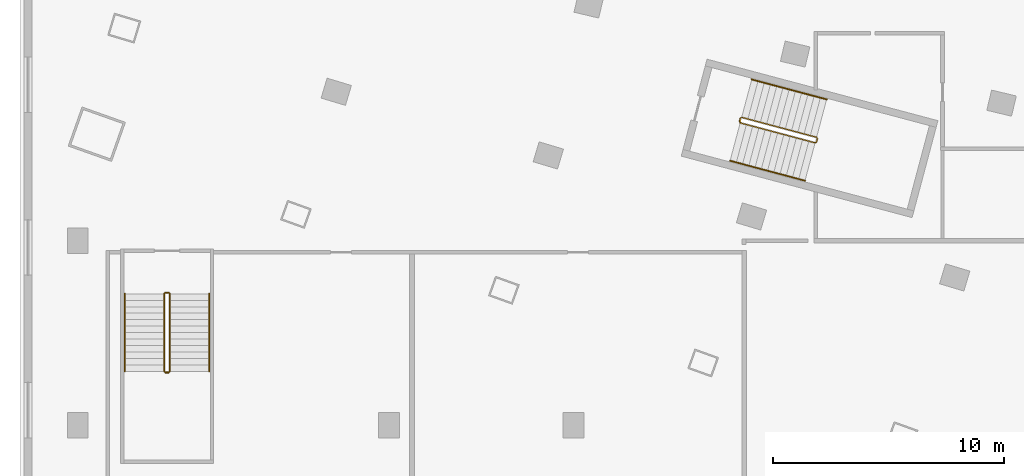
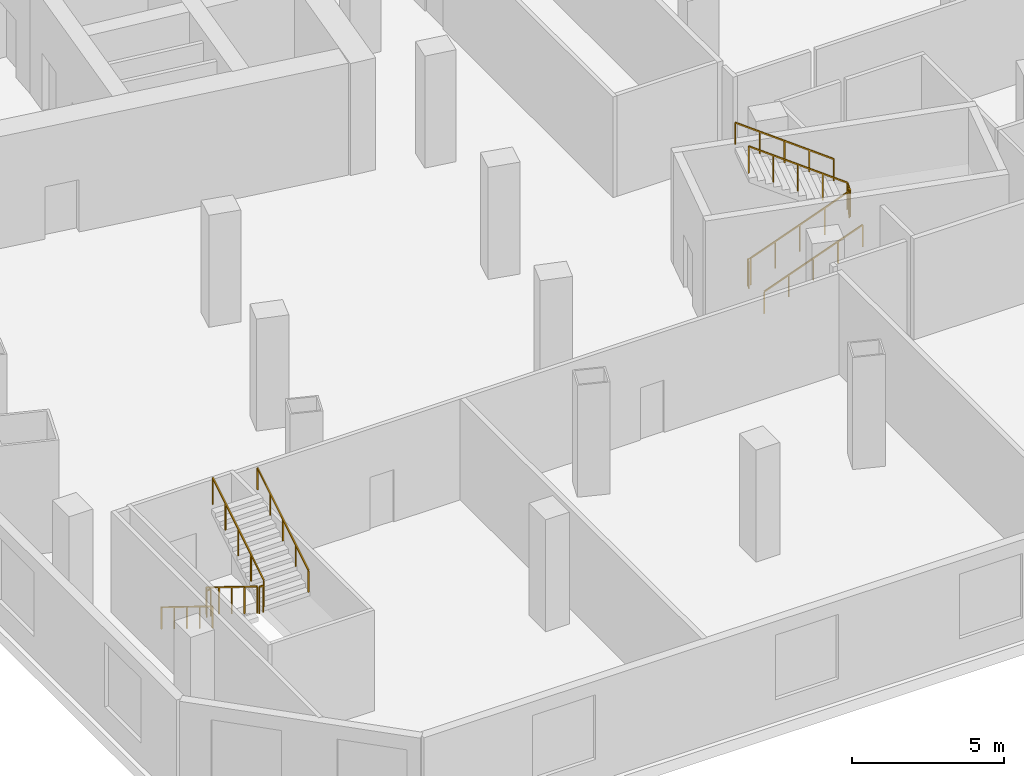
# One storey, part 10 of 14: 9 railings.
"""IFC4 building model written with IfcOpenShell, lengths in metres."""

from ifc_helpers import new_model, si_unit, direction, frame, origin, origin_with_axes, origin_2d, place, context, subcontext, project, spatial, rectangle, extrude, material, type_object, element, save


model = new_model("IFC4")

# Units and contexts
model_context = context("Model", 3, precision=1e-05, world=origin(), true_north=direction((0.0, 1.0)))
body_context = subcontext(model_context, "Body", "Model", "MODEL_VIEW")
ifc_project = project(units=[si_unit("LENGTHUNIT", "METRE"), si_unit("AREAUNIT", "SQUARE_METRE"), si_unit("VOLUMEUNIT", "CUBIC_METRE"), si_unit("PLANEANGLEUNIT", "RADIAN"), si_unit("MASSUNIT", "GRAM", prefix="KILO")], contexts=[model_context])

# Site, building, storey
site_placement = place(None, origin())
site = spatial("IfcSite", under=ifc_project, at=site_placement, CompositionType="ELEMENT")
building_placement = place(site_placement, origin())
building = spatial("IfcBuilding", under=site, at=building_placement, Name="Alderwake Tower", CompositionType="ELEMENT")
storey_placement = place(building_placement, frame((0.0, 0.0, 23.0)))
storey = spatial("IfcBuildingStorey", under=building, at=storey_placement, Name="L04", CompositionType="ELEMENT", Elevation=23.0)

# Railings
ifc_material_1 = material(Name="Stainless steel guard", Category="steel")
railing_type_1 = type_object("IfcRailingType", Name="Stair guard 1100", PredefinedType="GUARDRAIL", material=ifc_material_1)
railing_1_placement = place(storey_placement, frame((39.1943359375, 29.17431640625, 0.0)))
element("IfcRailing", 1, at=railing_1_placement, inside=storey, type_object=railing_type_1, Name="L04 ST-C stair guard 1", PredefinedType="GUARDRAIL", context=body_context, shape_type="SweptSolid", body=[
    extrude(rectangle(XDim=0.048095703125, YDim=0.048095703125, at=origin_2d()), frame((0.0, 0.0, 1.076171875), z_axis=(0.257459803502, 0.966289009345, 0.0), x_axis=(-0.966289009345, 0.257459803502, 0.0)), (0.0, 0.0, 1.0), 0.14990234375),
    extrude(rectangle(XDim=0.048095703125, YDim=0.048095703125, at=origin_2d()), frame((0.03857421875, 0.144775390625, 1.076171875), z_axis=(-0.011792936868, -0.765633747404, 0.643168633779), x_axis=(0.999881397308, -0.015401016783, 0.0)), (0.0, 0.0, 1.0), 0.26904296875),
    extrude(rectangle(XDim=0.048095703125, YDim=0.048095703125, at=origin_2d()), frame((0.035400390625, -0.061279296875, 1.2490234375), z_axis=(0.821962938046, -0.218918168777, 0.525786804569), x_axis=(0.257364156602, 0.966314488609, 0.0)), (0.0, 0.0, 1.0), 3.9501953125),
    extrude(rectangle(XDim=0.048095703125, YDim=0.048095703125, at=origin_2d()), frame((3.2822265625, -0.926025390625, 3.326171875), z_axis=(0.865898279276, 0.500220121494, 0.0), x_axis=(-0.500220121494, 0.865898279276, 0.0)), (0.0, 0.0, 1.0), 0.07080078125),
    extrude(rectangle(XDim=0.048095703125, YDim=0.048095703125, at=origin_2d()), frame((3.343505859375, -0.890625, 3.326171875), z_axis=(0.257055032184, 0.966396766566, 0.0), x_axis=(-0.966396766566, 0.257055032184, 0.0)), (0.0, 0.0, 1.0), 0.150146484375),
    extrude(rectangle(XDim=0.048095703125, YDim=0.048095703125, at=origin_2d()), frame((3.382080078125, -0.74560546875, 3.326171875), z_axis=(-0.189383820124, 0.3265238278, 0.926021575642), x_axis=(-0.865031189262, -0.501718089772, 0.0)), (0.0, 0.0, 1.0), 0.18701171875),
    extrude(rectangle(XDim=0.048095703125, YDim=0.048095703125, at=origin_2d()), frame((3.3466796875, -0.6845703125, 3.4990234375), z_axis=(-0.821951815101, 0.218977011873, 0.525779689531), x_axis=(-0.257432002611, -0.966296416237, 0.0)), (0.0, 0.0, 1.0), 3.9501953125),
    extrude(rectangle(XDim=0.0419921875, YDim=0.0419921875, at=origin_2d()), frame((0.0, 0.0, 0.0), z_axis=(0.0, 0.0, 1.0), x_axis=(0.257459803502, 0.966289009345, 0.0)), (0.0, 0.0, 1.0), 1.052001953125),
    extrude(rectangle(XDim=0.0419921875, YDim=0.0419921875, at=origin_2d()), frame((0.03857421875, 0.144775390625, 0.0), z_axis=(0.0, 0.0, 1.0), x_axis=(-0.015401016783, -0.999881397308, 0.0)), (0.0, 0.0, 1.0), 1.052001953125),
    extrude(rectangle(XDim=0.0419921875, YDim=0.0419921875, at=origin_2d()), frame((0.035400390625, -0.061279296875, 0.173095703125), z_axis=(0.0, 0.0, 1.0), x_axis=(0.966314488609, -0.257364156602, 0.0)), (0.0, 0.0, 1.0), 1.052001953125),
    extrude(rectangle(XDim=0.0419921875, YDim=0.0419921875, at=origin_2d()), frame((0.84716796875, -0.27734375, 0.6923828125), z_axis=(0.0, 0.0, 1.0), x_axis=(0.966314488609, -0.257364156602, 0.0)), (0.0, 0.0, 1.0), 1.052001953125),
    extrude(rectangle(XDim=0.0419921875, YDim=0.0419921875, at=origin_2d()), frame((1.65869140625, -0.49365234375, 1.21142578125), z_axis=(0.0, 0.0, 1.0), x_axis=(0.966314488609, -0.257364156602, 0.0)), (0.0, 0.0, 1.0), 1.052001953125),
    extrude(rectangle(XDim=0.0419921875, YDim=0.0419921875, at=origin_2d()), frame((2.470458984375, -0.7099609375, 1.730712890625), z_axis=(0.0, 0.0, 1.0), x_axis=(0.966314488609, -0.257364156602, 0.0)), (0.0, 0.0, 1.0), 1.052001953125),
    extrude(rectangle(XDim=0.0419921875, YDim=0.0419921875, at=origin_2d()), frame((3.2822265625, -0.926025390625, 2.25), z_axis=(0.0, 0.0, 1.0), x_axis=(0.865898279276, 0.500220121494, 0.0)), (0.0, 0.0, 1.0), 1.052001953125),
    extrude(rectangle(XDim=0.0419921875, YDim=0.0419921875, at=origin_2d()), frame((3.343505859375, -0.890625, 2.25), z_axis=(0.0, 0.0, 1.0), x_axis=(0.257055032184, 0.966396766566, 0.0)), (0.0, 0.0, 1.0), 1.052001953125),
    extrude(rectangle(XDim=0.0419921875, YDim=0.0419921875, at=origin_2d()), frame((3.382080078125, -0.74560546875, 2.25), z_axis=(0.0, 0.0, 1.0), x_axis=(-0.501718089772, 0.865031189262, 0.0)), (0.0, 0.0, 1.0), 1.052001953125),
    extrude(rectangle(XDim=0.0419921875, YDim=0.0419921875, at=origin_2d()), frame((3.3466796875, -0.6845703125, 2.423095703125), z_axis=(0.0, 0.0, 1.0), x_axis=(-0.966296416237, 0.257432002611, 0.0)), (0.0, 0.0, 1.0), 1.052001953125),
    extrude(rectangle(XDim=0.0419921875, YDim=0.0419921875, at=origin_2d()), frame((2.534912109375, -0.46826171875, 2.9423828125), z_axis=(0.0, 0.0, 1.0), x_axis=(-0.966296416237, 0.257432002611, 0.0)), (0.0, 0.0, 1.0), 1.052001953125),
    extrude(rectangle(XDim=0.0419921875, YDim=0.0419921875, at=origin_2d()), frame((1.72314453125, -0.251953125, 3.46142578125), z_axis=(0.0, 0.0, 1.0), x_axis=(-0.966296416237, 0.257432002611, 0.0)), (0.0, 0.0, 1.0), 1.052001953125),
    extrude(rectangle(XDim=0.0419921875, YDim=0.0419921875, at=origin_2d()), frame((0.91162109375, -0.035888671875, 3.980712890625), z_axis=(0.0, 0.0, 1.0), x_axis=(-0.966296416237, 0.257432002611, 0.0)), (0.0, 0.0, 1.0), 1.052001953125),
    extrude(rectangle(XDim=0.0419921875, YDim=0.0419921875, at=origin_2d()), frame((0.099853515625, 0.180419921875, 4.5), z_axis=(0.0, 0.0, 1.0), x_axis=(-0.966296416237, 0.257432002611, 0.0)), (0.0, 0.0, 1.0), 1.052001953125),
])
railing_2_placement = place(storey_placement, frame((14.25, 21.699951171875, 0.173095703125)))
element("IfcRailing", 2, at=railing_2_placement, inside=storey, type_object=railing_type_1, Name="L04 ST-P1 stair guard 1", PredefinedType="GUARDRAIL", context=body_context, shape_type="SweptSolid", body=[
    extrude(rectangle(XDim=0.048095703125, YDim=0.048095703125, at=origin_2d()), frame((0.0, 0.0, 1.076171875), z_axis=(0.0, -0.850606129759, 0.525803396734), x_axis=(1.0, 0.0, 0.0)), (0.0, 0.0, 1.0), 3.949951171875),
    extrude(rectangle(XDim=0.0419921875, YDim=0.0419921875, at=origin_2d()), frame((0.0, 0.0, 0.0), z_axis=(0.0, 0.0, 1.0), x_axis=(0.0, -1.0, 0.0)), (0.0, 0.0, 1.0), 1.052001953125),
    extrude(rectangle(XDim=0.0419921875, YDim=0.0419921875, at=origin_2d()), frame((0.0, -0.83984375, 0.519287109375), z_axis=(0.0, 0.0, 1.0), x_axis=(0.0, -1.0, 0.0)), (0.0, 0.0, 1.0), 1.052001953125),
    extrude(rectangle(XDim=0.0419921875, YDim=0.0419921875, at=origin_2d()), frame((0.0, -1.679931640625, 1.03857421875), z_axis=(0.0, 0.0, 1.0), x_axis=(0.0, -1.0, 0.0)), (0.0, 0.0, 1.0), 1.052001953125),
    extrude(rectangle(XDim=0.0419921875, YDim=0.0419921875, at=origin_2d()), frame((0.0, -2.52001953125, 1.5576171875), z_axis=(0.0, 0.0, 1.0), x_axis=(0.0, -1.0, 0.0)), (0.0, 0.0, 1.0), 1.052001953125),
    extrude(rectangle(XDim=0.0419921875, YDim=0.0419921875, at=origin_2d()), frame((0.0, -3.35986328125, 2.076904296875), z_axis=(0.0, 0.0, 1.0), x_axis=(0.0, -1.0, 0.0)), (0.0, 0.0, 1.0), 1.052001953125),
])
railing_3_placement = place(storey_placement, frame((14.300048828125, 18.2900390625, 2.25)))
element("IfcRailing", 3, at=railing_3_placement, inside=storey, type_object=railing_type_1, Name="L04 ST-P1 stair guard 2", PredefinedType="GUARDRAIL", context=body_context, shape_type="SweptSolid", body=[
    extrude(rectangle(XDim=0.048095703125, YDim=0.048095703125, at=origin_2d()), frame((0.0, 0.0, 1.076171875), z_axis=(1.0, 0.0, 0.0), x_axis=(0.0, 1.0, 0.0)), (0.0, 0.0, 1.0), 0.14990234375),
    extrude(rectangle(XDim=0.0419921875, YDim=0.0419921875, at=origin_2d()), origin_with_axes(), (0.0, 0.0, 1.0), 1.052001953125),
    extrude(rectangle(XDim=0.0419921875, YDim=0.0419921875, at=origin_2d()), frame((0.14990234375, 0.0, 0.0), z_axis=(0.0, 0.0, 1.0), x_axis=(1.0, 0.0, 0.0)), (0.0, 0.0, 1.0), 1.052001953125),
])
railing_4_placement = place(storey_placement, frame((14.5, 18.340087890625, 2.423095703125)))
element("IfcRailing", 4, at=railing_4_placement, inside=storey, type_object=railing_type_1, Name="L04 ST-P1 stair guard 3", PredefinedType="GUARDRAIL", context=body_context, shape_type="SweptSolid", body=[
    extrude(rectangle(XDim=0.048095703125, YDim=0.048095703125, at=origin_2d()), frame((0.0, 0.0, 1.076171875), z_axis=(0.0, 0.850606129759, 0.525803396734), x_axis=(-1.0, 0.0, 0.0)), (0.0, 0.0, 1.0), 3.949951171875),
    extrude(rectangle(XDim=0.0419921875, YDim=0.0419921875, at=origin_2d()), frame((0.0, 0.0, 0.0), z_axis=(0.0, 0.0, 1.0), x_axis=(0.0, 1.0, 0.0)), (0.0, 0.0, 1.0), 1.052001953125),
    extrude(rectangle(XDim=0.0419921875, YDim=0.0419921875, at=origin_2d()), frame((0.0, 0.83984375, 0.519287109375), z_axis=(0.0, 0.0, 1.0), x_axis=(0.0, 1.0, 0.0)), (0.0, 0.0, 1.0), 1.052001953125),
    extrude(rectangle(XDim=0.0419921875, YDim=0.0419921875, at=origin_2d()), frame((0.0, 1.679931640625, 1.03857421875), z_axis=(0.0, 0.0, 1.0), x_axis=(0.0, 1.0, 0.0)), (0.0, 0.0, 1.0), 1.052001953125),
    extrude(rectangle(XDim=0.0419921875, YDim=0.0419921875, at=origin_2d()), frame((0.0, 2.52001953125, 1.5576171875), z_axis=(0.0, 0.0, 1.0), x_axis=(0.0, 1.0, 0.0)), (0.0, 0.0, 1.0), 1.052001953125),
    extrude(rectangle(XDim=0.0419921875, YDim=0.0419921875, at=origin_2d()), frame((0.0, 3.35986328125, 2.076904296875), z_axis=(0.0, 0.0, 1.0), x_axis=(0.0, 1.0, 0.0)), (0.0, 0.0, 1.0), 1.052001953125),
])
railing_5_placement = place(storey_placement, frame((14.300048828125, 21.75, 0.0)))
element("IfcRailing", 5, at=railing_5_placement, inside=storey, type_object=railing_type_1, Name="L04 ST-P1 stair guard 4", PredefinedType="GUARDRAIL", context=body_context, shape_type="SweptSolid", body=[
    extrude(rectangle(XDim=0.048095703125, YDim=0.048095703125, at=origin_2d()), frame((0.0, 0.0, 1.076171875), z_axis=(1.0, 0.0, 0.0), x_axis=(0.0, 1.0, 0.0)), (0.0, 0.0, 1.0), 0.14990234375),
    extrude(rectangle(XDim=0.0419921875, YDim=0.0419921875, at=origin_2d()), origin_with_axes(), (0.0, 0.0, 1.0), 1.052001953125),
    extrude(rectangle(XDim=0.0419921875, YDim=0.0419921875, at=origin_2d()), frame((0.14990234375, 0.0, 0.0), z_axis=(0.0, 0.0, 1.0), x_axis=(1.0, 0.0, 0.0)), (0.0, 0.0, 1.0), 1.052001953125),
])
ifc_material_2 = material(Name="Stainless steel handrail", Category="steel")
railing_type_2 = type_object("IfcRailingType", Name="Stair handrail 900", PredefinedType="HANDRAIL", material=ifc_material_2)
railing_6_placement = place(storey_placement, frame((38.792236328125, 27.47021484375, 0.173095703125)))
element("IfcRailing", 6, at=railing_6_placement, inside=storey, type_object=railing_type_2, Name="L04 ST-C stair handrail 1", PredefinedType="HANDRAIL", context=body_context, shape_type="SweptSolid", body=[
    extrude(rectangle(XDim=0.048095703125, YDim=0.048095703125, at=origin_2d()), frame((0.0, 0.0, 0.8759765625), z_axis=(0.821962938046, -0.218918168777, 0.525786804569), x_axis=(0.257364156602, 0.966314488609, 0.0)), (0.0, 0.0, 1.0), 3.9501953125),
    extrude(rectangle(XDim=0.0419921875, YDim=0.0419921875, at=origin_2d()), frame((0.0, 0.0, 0.0), z_axis=(0.0, 0.0, 1.0), x_axis=(0.966314488609, -0.257364156602, 0.0)), (0.0, 0.0, 1.0), 0.851806640625),
    extrude(rectangle(XDim=0.0419921875, YDim=0.0419921875, at=origin_2d()), frame((0.811767578125, -0.21630859375, 0.519287109375), z_axis=(0.0, 0.0, 1.0), x_axis=(0.966314488609, -0.257364156602, 0.0)), (0.0, 0.0, 1.0), 0.851806640625),
    extrude(rectangle(XDim=0.0419921875, YDim=0.0419921875, at=origin_2d()), frame((1.62353515625, -0.432373046875, 1.03857421875), z_axis=(0.0, 0.0, 1.0), x_axis=(0.966314488609, -0.257364156602, 0.0)), (0.0, 0.0, 1.0), 0.851806640625),
    extrude(rectangle(XDim=0.0419921875, YDim=0.0419921875, at=origin_2d()), frame((2.43505859375, -0.6484375, 1.5576171875), z_axis=(0.0, 0.0, 1.0), x_axis=(0.966314488609, -0.257364156602, 0.0)), (0.0, 0.0, 1.0), 0.851806640625),
    extrude(rectangle(XDim=0.0419921875, YDim=0.0419921875, at=origin_2d()), frame((3.246826171875, -0.86474609375, 2.076904296875), z_axis=(0.0, 0.0, 1.0), x_axis=(0.966314488609, -0.257364156602, 0.0)), (0.0, 0.0, 1.0), 0.851806640625),
])
railing_7_placement = place(storey_placement, frame((42.978515625, 30.132568359375, 2.423095703125)))
element("IfcRailing", 7, at=railing_7_placement, inside=storey, type_object=railing_type_2, Name="L04 ST-C stair handrail 2", PredefinedType="HANDRAIL", context=body_context, shape_type="SweptSolid", body=[
    extrude(rectangle(XDim=0.048095703125, YDim=0.048095703125, at=origin_2d()), frame((0.0, 0.0, 0.8759765625), z_axis=(-0.821962938046, 0.218918168777, 0.525786804569), x_axis=(-0.257364156602, -0.966314488609, 0.0)), (0.0, 0.0, 1.0), 3.9501953125),
    extrude(rectangle(XDim=0.0419921875, YDim=0.0419921875, at=origin_2d()), frame((0.0, 0.0, 0.0), z_axis=(0.0, 0.0, 1.0), x_axis=(-0.966314488609, 0.257364156602, 0.0)), (0.0, 0.0, 1.0), 0.851806640625),
    extrude(rectangle(XDim=0.0419921875, YDim=0.0419921875, at=origin_2d()), frame((-0.811767578125, 0.21630859375, 0.519287109375), z_axis=(0.0, 0.0, 1.0), x_axis=(-0.966314488609, 0.257364156602, 0.0)), (0.0, 0.0, 1.0), 0.851806640625),
    extrude(rectangle(XDim=0.0419921875, YDim=0.0419921875, at=origin_2d()), frame((-1.62353515625, 0.432373046875, 1.03857421875), z_axis=(0.0, 0.0, 1.0), x_axis=(-0.966314488609, 0.257364156602, 0.0)), (0.0, 0.0, 1.0), 0.851806640625),
    extrude(rectangle(XDim=0.0419921875, YDim=0.0419921875, at=origin_2d()), frame((-2.43505859375, 0.6484375, 1.5576171875), z_axis=(0.0, 0.0, 1.0), x_axis=(-0.966314488609, 0.257364156602, 0.0)), (0.0, 0.0, 1.0), 0.851806640625),
    extrude(rectangle(XDim=0.0419921875, YDim=0.0419921875, at=origin_2d()), frame((-3.246826171875, 0.86474609375, 2.076904296875), z_axis=(0.0, 0.0, 1.0), x_axis=(-0.966314488609, 0.257364156602, 0.0)), (0.0, 0.0, 1.0), 0.851806640625),
])
railing_8_placement = place(storey_placement, frame((12.550048828125, 21.699951171875, 0.173095703125)))
element("IfcRailing", 8, at=railing_8_placement, inside=storey, type_object=railing_type_2, Name="L04 ST-P1 stair handrail 1", PredefinedType="HANDRAIL", context=body_context, shape_type="SweptSolid", body=[
    extrude(rectangle(XDim=0.048095703125, YDim=0.048095703125, at=origin_2d()), frame((0.0, 0.0, 0.8759765625), z_axis=(0.0, -0.850606129759, 0.525803396734), x_axis=(1.0, 0.0, 0.0)), (0.0, 0.0, 1.0), 3.949951171875),
    extrude(rectangle(XDim=0.0419921875, YDim=0.0419921875, at=origin_2d()), frame((0.0, 0.0, 0.0), z_axis=(0.0, 0.0, 1.0), x_axis=(0.0, -1.0, 0.0)), (0.0, 0.0, 1.0), 0.851806640625),
    extrude(rectangle(XDim=0.0419921875, YDim=0.0419921875, at=origin_2d()), frame((0.0, -0.83984375, 0.519287109375), z_axis=(0.0, 0.0, 1.0), x_axis=(0.0, -1.0, 0.0)), (0.0, 0.0, 1.0), 0.851806640625),
    extrude(rectangle(XDim=0.0419921875, YDim=0.0419921875, at=origin_2d()), frame((0.0, -1.679931640625, 1.03857421875), z_axis=(0.0, 0.0, 1.0), x_axis=(0.0, -1.0, 0.0)), (0.0, 0.0, 1.0), 0.851806640625),
    extrude(rectangle(XDim=0.0419921875, YDim=0.0419921875, at=origin_2d()), frame((0.0, -2.52001953125, 1.5576171875), z_axis=(0.0, 0.0, 1.0), x_axis=(0.0, -1.0, 0.0)), (0.0, 0.0, 1.0), 0.851806640625),
    extrude(rectangle(XDim=0.0419921875, YDim=0.0419921875, at=origin_2d()), frame((0.0, -3.35986328125, 2.076904296875), z_axis=(0.0, 0.0, 1.0), x_axis=(0.0, -1.0, 0.0)), (0.0, 0.0, 1.0), 0.851806640625),
])
railing_9_placement = place(storey_placement, frame((16.199951171875, 18.340087890625, 2.423095703125)))
element("IfcRailing", 9, at=railing_9_placement, inside=storey, type_object=railing_type_2, Name="L04 ST-P1 stair handrail 2", PredefinedType="HANDRAIL", context=body_context, shape_type="SweptSolid", body=[
    extrude(rectangle(XDim=0.048095703125, YDim=0.048095703125, at=origin_2d()), frame((0.0, 0.0, 0.8759765625), z_axis=(0.0, 0.850606129759, 0.525803396734), x_axis=(-1.0, 0.0, 0.0)), (0.0, 0.0, 1.0), 3.949951171875),
    extrude(rectangle(XDim=0.0419921875, YDim=0.0419921875, at=origin_2d()), frame((0.0, 0.0, 0.0), z_axis=(0.0, 0.0, 1.0), x_axis=(0.0, 1.0, 0.0)), (0.0, 0.0, 1.0), 0.851806640625),
    extrude(rectangle(XDim=0.0419921875, YDim=0.0419921875, at=origin_2d()), frame((0.0, 0.83984375, 0.519287109375), z_axis=(0.0, 0.0, 1.0), x_axis=(0.0, 1.0, 0.0)), (0.0, 0.0, 1.0), 0.851806640625),
    extrude(rectangle(XDim=0.0419921875, YDim=0.0419921875, at=origin_2d()), frame((0.0, 1.679931640625, 1.03857421875), z_axis=(0.0, 0.0, 1.0), x_axis=(0.0, 1.0, 0.0)), (0.0, 0.0, 1.0), 0.851806640625),
    extrude(rectangle(XDim=0.0419921875, YDim=0.0419921875, at=origin_2d()), frame((0.0, 2.52001953125, 1.5576171875), z_axis=(0.0, 0.0, 1.0), x_axis=(0.0, 1.0, 0.0)), (0.0, 0.0, 1.0), 0.851806640625),
    extrude(rectangle(XDim=0.0419921875, YDim=0.0419921875, at=origin_2d()), frame((0.0, 3.35986328125, 2.076904296875), z_axis=(0.0, 0.0, 1.0), x_axis=(0.0, 1.0, 0.0)), (0.0, 0.0, 1.0), 0.851806640625),
])

save(model, "model.ifc")
